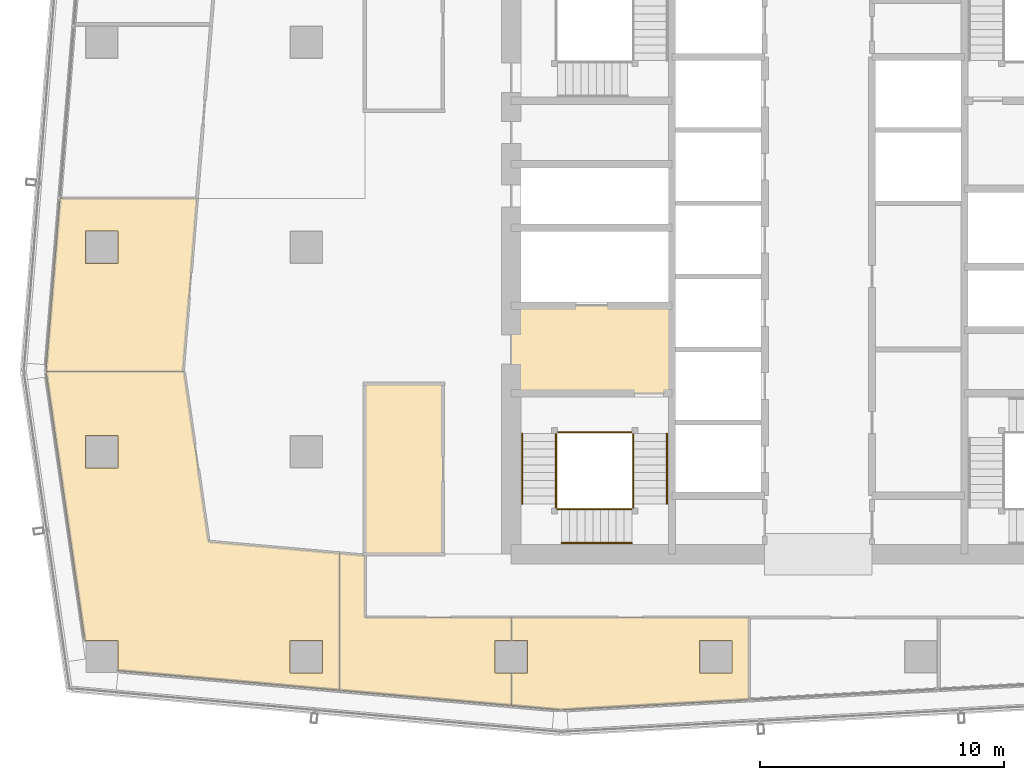
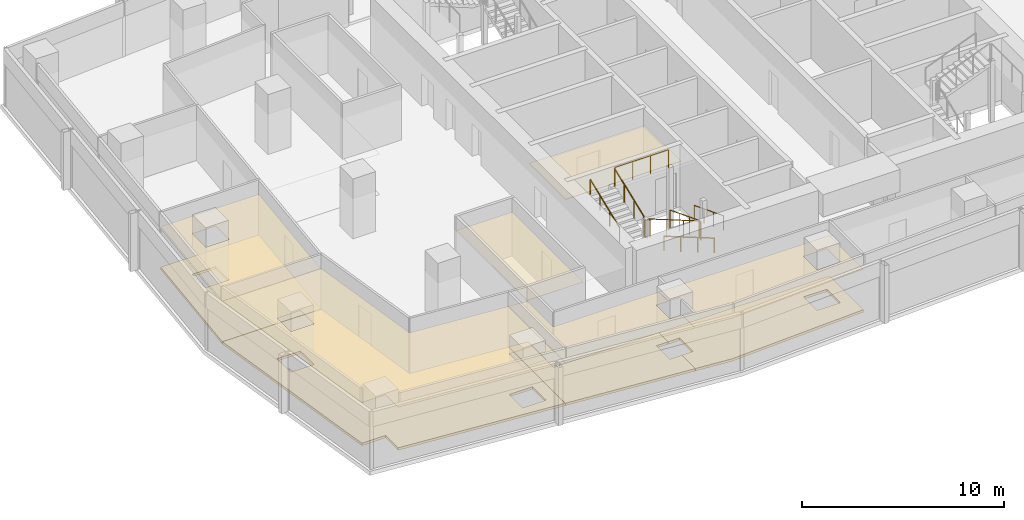
# One storey, part 26 of 30: 10 coverings, 10 railings.
"""IFC4 building model written with IfcOpenShell, lengths in metres."""

from ifc_helpers import new_model, si_unit, direction, frame, origin, origin_2d, place, context, subcontext, project, spatial, polyline, circle, outline, extrude, material, layer, layer_set, type_object, element, save


model = new_model("IFC4")

# Units and contexts
model_context = context("Model", 3, precision=1e-05, world=origin(), true_north=direction((0.0, 1.0)))
body_context = subcontext(model_context, "Body", "Model", "MODEL_VIEW")
ifc_project = project(units=[si_unit("LENGTHUNIT", "METRE"), si_unit("AREAUNIT", "SQUARE_METRE"), si_unit("VOLUMEUNIT", "CUBIC_METRE"), si_unit("PLANEANGLEUNIT", "RADIAN"), si_unit("MASSUNIT", "GRAM", prefix="KILO")], contexts=[model_context])

# Site, building, storey
site_placement = place(None, origin())
site = spatial("IfcSite", under=ifc_project, at=site_placement, CompositionType="ELEMENT")
building_placement = place(site_placement, origin())
building = spatial("IfcBuilding", under=site, at=building_placement, Name="Rekha Terrace Tower", CompositionType="ELEMENT")
storey_placement = place(building_placement, frame((0.0, 0.0, 272.60009765625)))
storey = spatial("IfcBuildingStorey", under=building, at=storey_placement, Name="L69", CompositionType="ELEMENT", Elevation=272.60009765625)

# Coverings
ifc_material_1 = material(Name="Mineral fibre tile in exposed grid", Category="finish")
ifc_layer_1 = layer(ifc_material_1, 0.02001953125)
ifc_layer_set_1 = layer_set([ifc_layer_1], Name="Mineral fibre tile in exposed grid")
covering_type_1 = type_object("IfcCoveringType", Name="CL1 600x1200 office grid ceiling", PredefinedType="CEILING", material=ifc_layer_set_1)
covering_1_placement = place(storey_placement, frame((0.0, 0.0, 2.579833984375)))
element("IfcCovering", 1, at=covering_1_placement, inside=storey, type_object=covering_type_1, Name="Ceiling L69-11", PredefinedType="CEILING", context=body_context, shape_type="SweptSolid", body=[
    extrude(outline(polyline([(11.73193359375, 28.491943359375), (12.30908203125, 35.589111328125), (6.69091796875, 35.589111328125), (6.113037109375, 28.491943359375), (11.73193359375, 28.491943359375)]), holes=[polyline([(9.06494140625, 34.264892578125), (9.06494140625, 32.93505859375), (7.735107421875, 32.93505859375), (7.735107421875, 34.264892578125), (9.06494140625, 34.264892578125)])]), origin(), (0.0, 0.0, 1.0), 0.02001953125),
])
covering_2_placement = place(storey_placement, frame((0.0, 0.0, 2.579833984375)))
element("IfcCovering", 2, at=covering_2_placement, inside=storey, type_object=covering_type_1, Name="Ceiling L69-12", PredefinedType="CEILING", context=body_context, shape_type="SweptSolid", body=[
    extrude(outline(polyline([(6.12109375, 28.490966796875), (7.715087890625, 17.465087890625), (9.06494140625, 17.465087890625), (9.06494140625, 16.22705078125), (18.14892578125, 15.4189453125), (18.14892578125, 21.041015625), (12.787109375, 21.51806640625), (11.779052734375, 28.490966796875), (6.12109375, 28.490966796875)]), holes=[polyline([(17.465087890625, 17.465087890625), (17.465087890625, 16.135009765625), (16.135009765625, 16.135009765625), (16.135009765625, 17.465087890625), (17.465087890625, 17.465087890625)]), polyline([(9.06494140625, 25.864990234375), (9.06494140625, 24.534912109375), (7.735107421875, 24.534912109375), (7.735107421875, 25.864990234375), (9.06494140625, 25.864990234375)])]), origin(), (0.0, 0.0, 1.0), 0.02001953125),
])
covering_3_placement = place(storey_placement, frame((0.0, 0.0, 2.579833984375)))
element("IfcCovering", 3, at=covering_3_placement, inside=storey, type_object=covering_type_1, Name="Ceiling L69-13", PredefinedType="CEILING", context=body_context, shape_type="SweptSolid", body=[
    extrude(outline(polyline([(19.199951171875, 18.39990234375), (19.199951171875, 20.947998046875), (18.14990234375, 21.041015625), (18.14990234375, 15.4189453125), (25.2060546875, 14.7919921875), (25.2060546875, 16.135009765625), (24.534912109375, 16.135009765625), (24.534912109375, 17.465087890625), (25.2060546875, 17.465087890625), (25.2060546875, 18.39990234375), (19.199951171875, 18.39990234375)])), origin(), (0.0, 0.0, 1.0), 0.02001953125),
])
covering_4_placement = place(storey_placement, frame((0.0, 0.0, 2.579833984375)))
element("IfcCovering", 4, at=covering_4_placement, inside=storey, type_object=covering_type_1, Name="Ceiling L69-14", PredefinedType="CEILING", context=body_context, shape_type="SweptSolid", body=[
    extrude(outline(polyline([(34.947021484375, 15.033935546875), (34.947021484375, 18.39990234375), (25.20703125, 18.39990234375), (25.20703125, 17.465087890625), (25.864990234375, 17.465087890625), (25.864990234375, 16.135009765625), (25.20703125, 16.135009765625), (25.20703125, 14.7919921875), (27.221923828125, 14.613037109375), (34.947021484375, 15.033935546875)]), holes=[polyline([(34.264892578125, 16.135009765625), (32.93505859375, 16.135009765625), (32.93505859375, 17.465087890625), (34.264892578125, 17.465087890625), (34.264892578125, 16.135009765625)])]), origin(), (0.0, 0.0, 1.0), 0.02001953125),
])
ifc_material_2 = material(Name="Fibre cement board", Category="finish")
ifc_layer_2 = layer(ifc_material_2, 0.014892578125)
ifc_layer_set_2 = layer_set([ifc_layer_2], Name="Fibre cement board")
covering_type_2 = type_object("IfcCoveringType", Name="CL2 moisture-resistant board ceiling", PredefinedType="CEILING", material=ifc_layer_set_2)
covering_5_placement = place(storey_placement, frame((0.0, 0.0, 2.5849609375)))
element("IfcCovering", 5, at=covering_5_placement, inside=storey, type_object=covering_type_2, Name="Ceiling L69-WCM", PredefinedType="CEILING", context=body_context, shape_type="SweptSolid", body=[
    extrude(outline(polyline([(22.39990234375, 28.0), (19.199951171875, 28.0), (19.199951171875, 21.0), (22.39990234375, 21.0), (22.39990234375, 28.0)])), origin(), (0.0, 0.0, 1.0), 0.014892578125),
])
ifc_material_3 = material(Name="Powder-coated aluminium pan", Category="aluminium")
ifc_layer_3 = layer(ifc_material_3, 0.030029296875)
ifc_layer_set_3 = layer_set([ifc_layer_3], Name="Powder-coated aluminium pan")
covering_type_3 = type_object("IfcCoveringType", Name="CL3 300x1200 metal pan ceiling", PredefinedType="CEILING", material=ifc_layer_set_3)
covering_6_placement = place(storey_placement, frame((0.0, 0.0, 2.56982421875)))
element("IfcCovering", 6, at=covering_6_placement, inside=storey, type_object=covering_type_3, Name="Ceiling L69-FLB1", PredefinedType="CEILING", context=body_context, shape_type="SweptSolid", body=[
    extrude(outline(polyline([(31.800048828125, 31.199951171875), (25.199951171875, 31.199951171875), (25.199951171875, 27.60009765625), (31.800048828125, 27.60009765625), (31.800048828125, 31.199951171875)])), origin(), (0.0, 0.0, 1.0), 0.030029296875),
])

# Railings
ifc_material_4 = material(Name="Stainless steel balustrade", Category="steel")
railing_type_1 = type_object("IfcRailingType", Name="GR1 1100 stair guard", PredefinedType="GUARDRAIL", material=ifc_material_4)
railing_1_placement = place(storey_placement, frame((30.2099609375, 25.949951171875, 0.125)))
element("IfcRailing", 7, at=railing_1_placement, inside=storey, type_object=railing_type_1, Name="Guard ST1 L69 flight 1", PredefinedType="GUARDRAIL", context=body_context, shape_type="SweptSolid", body=[
    extrude(circle(Radius=0.02392578125, at=origin_2d()), frame((0.0, 0.0, 1.076171875), z_axis=(0.0, -0.931452331594, 0.363863372667), x_axis=(1.0, 0.0, 0.0)), (0.0, 0.0, 1.0), 3.091796875),
    extrude(circle(Radius=0.02099609375, at=origin_2d()), origin(), (0.0, 0.0, 1.0), 1.052001953125),
    extrude(circle(Radius=0.02099609375, at=origin_2d()), frame((0.0, -0.9599609375, 0.375)), (0.0, 0.0, 1.0), 1.052001953125),
    extrude(circle(Radius=0.02099609375, at=origin_2d()), frame((0.0, -1.919921875, 0.75)), (0.0, 0.0, 1.0), 1.052001953125),
    extrude(circle(Radius=0.02099609375, at=origin_2d()), frame((0.0, -2.8798828125, 1.125)), (0.0, 0.0, 1.0), 1.052001953125),
])
railing_2_placement = place(storey_placement, frame((30.14990234375, 22.840087890625, 1.375)))
element("IfcRailing", 8, at=railing_2_placement, inside=storey, type_object=railing_type_1, Name="Guard ST1 L69 flight 2", PredefinedType="GUARDRAIL", context=body_context, shape_type="SweptSolid", body=[
    extrude(circle(Radius=0.02392578125, at=origin_2d()), frame((0.0, 0.0, 1.076171875), z_axis=(-0.931452331594, 0.0, 0.363863372667), x_axis=(0.0, -1.0, 0.0)), (0.0, 0.0, 1.0), 3.091796875),
    extrude(circle(Radius=0.02099609375, at=origin_2d()), origin(), (0.0, 0.0, 1.0), 1.052001953125),
    extrude(circle(Radius=0.02099609375, at=origin_2d()), frame((-0.9599609375, 0.0, 0.375)), (0.0, 0.0, 1.0), 1.052001953125),
    extrude(circle(Radius=0.02099609375, at=origin_2d()), frame((-1.919921875, 0.0, 0.75)), (0.0, 0.0, 1.0), 1.052001953125),
    extrude(circle(Radius=0.02099609375, at=origin_2d()), frame((-2.8798828125, 0.0, 1.125)), (0.0, 0.0, 1.0), 1.052001953125),
])
railing_3_placement = place(storey_placement, frame((27.0400390625, 23.070068359375, 2.625)))
element("IfcRailing", 9, at=railing_3_placement, inside=storey, type_object=railing_type_1, Name="Guard ST1 L69 flight 3", PredefinedType="GUARDRAIL", context=body_context, shape_type="SweptSolid", body=[
    extrude(circle(Radius=0.02392578125, at=origin_2d()), frame((0.0, 0.0, 1.076171875), z_axis=(0.0, 0.931452331594, 0.363863372667), x_axis=(-1.0, 0.0, 0.0)), (0.0, 0.0, 1.0), 3.091796875),
    extrude(circle(Radius=0.02099609375, at=origin_2d()), origin(), (0.0, 0.0, 1.0), 1.052001953125),
    extrude(circle(Radius=0.02099609375, at=origin_2d()), frame((0.0, 0.9599609375, 0.375)), (0.0, 0.0, 1.0), 1.052001953125),
    extrude(circle(Radius=0.02099609375, at=origin_2d()), frame((0.0, 1.919921875, 0.75)), (0.0, 0.0, 1.0), 1.052001953125),
    extrude(circle(Radius=0.02099609375, at=origin_2d()), frame((0.0, 2.8798828125, 1.125)), (0.0, 0.0, 1.0), 1.052001953125),
])
railing_4_placement = place(storey_placement, frame((30.2099609375, 23.070068359375, 1.25)))
element("IfcRailing", 10, at=railing_4_placement, inside=storey, type_object=railing_type_1, Name="Guard ST1 L69 landing 1", PredefinedType="GUARDRAIL", context=body_context, shape_type="SweptSolid", body=[
    extrude(circle(Radius=0.02392578125, at=origin_2d()), frame((0.0, 0.0, 1.076171875), z_axis=(0.0, -1.0, 0.0), x_axis=(1.0, 0.0, 0.0)), (0.0, 0.0, 1.0), 0.170166015625),
    extrude(circle(Radius=0.02099609375, at=origin_2d()), origin(), (0.0, 0.0, 1.0), 1.052001953125),
    extrude(circle(Radius=0.02099609375, at=origin_2d()), frame((0.0, -0.170166015625, 0.0)), (0.0, 0.0, 1.0), 1.052001953125),
])
railing_5_placement = place(storey_placement, frame((27.27001953125, 22.840087890625, 2.5)))
element("IfcRailing", 11, at=railing_5_placement, inside=storey, type_object=railing_type_1, Name="Guard ST1 L69 landing 2", PredefinedType="GUARDRAIL", context=body_context, shape_type="SweptSolid", body=[
    extrude(circle(Radius=0.02392578125, at=origin_2d()), frame((0.0, 0.0, 1.076171875), z_axis=(-1.0, 0.0, 0.0), x_axis=(0.0, -1.0, 0.0)), (0.0, 0.0, 1.0), 0.169921875),
    extrude(circle(Radius=0.02099609375, at=origin_2d()), origin(), (0.0, 0.0, 1.0), 1.052001953125),
    extrude(circle(Radius=0.02099609375, at=origin_2d()), frame((-0.169921875, 0.0, 0.0)), (0.0, 0.0, 1.0), 1.052001953125),
])
railing_6_placement = place(storey_placement, frame((27.0400390625, 23.070068359375, 2.5)))
element("IfcRailing", 12, at=railing_6_placement, inside=storey, type_object=railing_type_1, Name="Guard ST1 L69 landing 3", PredefinedType="GUARDRAIL", context=body_context, shape_type="SweptSolid", body=[
    extrude(circle(Radius=0.02392578125, at=origin_2d()), frame((0.0, 0.0, 1.076171875), z_axis=(0.0, -1.0, 0.0), x_axis=(1.0, 0.0, 0.0)), (0.0, 0.0, 1.0), 0.170166015625),
    extrude(circle(Radius=0.02099609375, at=origin_2d()), origin(), (0.0, 0.0, 1.0), 1.052001953125),
    extrude(circle(Radius=0.02099609375, at=origin_2d()), frame((0.0, -0.170166015625, 0.0)), (0.0, 0.0, 1.0), 1.052001953125),
])
railing_7_placement = place(storey_placement, frame((30.14990234375, 26.010009765625, 3.75)))
element("IfcRailing", 13, at=railing_7_placement, inside=storey, type_object=railing_type_1, Name="Guard ST1 L69 landing 4", PredefinedType="GUARDRAIL", context=body_context, shape_type="SweptSolid", body=[
    extrude(circle(Radius=0.02392578125, at=origin_2d()), frame((0.0, 0.0, 1.076171875), z_axis=(-1.0, 0.0, 0.0), x_axis=(0.0, -1.0, 0.0)), (0.0, 0.0, 1.0), 3.0498046875),
    extrude(circle(Radius=0.02099609375, at=origin_2d()), origin(), (0.0, 0.0, 1.0), 1.052001953125),
    extrude(circle(Radius=0.02099609375, at=origin_2d()), frame((-1.0166015625, 0.0, 0.0)), (0.0, 0.0, 1.0), 1.052001953125),
    extrude(circle(Radius=0.02099609375, at=origin_2d()), frame((-2.033203125, 0.0, 0.0)), (0.0, 0.0, 1.0), 1.052001953125),
    extrude(circle(Radius=0.02099609375, at=origin_2d()), frame((-3.0498046875, 0.0, 0.0)), (0.0, 0.0, 1.0), 1.052001953125),
])
ifc_material_5 = material(Name="Stainless steel tube", Category="steel")
railing_type_2 = type_object("IfcRailingType", Name="HR1 900 stair handrail", PredefinedType="HANDRAIL", material=ifc_material_5)
railing_8_placement = place(storey_placement, frame((31.590087890625, 25.949951171875, 0.125)))
element("IfcRailing", 14, at=railing_8_placement, inside=storey, type_object=railing_type_2, Name="Handrail ST1 L69 flight 1", PredefinedType="HANDRAIL", context=body_context, shape_type="SweptSolid", body=[
    extrude(circle(Radius=0.02392578125, at=origin_2d()), frame((0.0, 0.0, 0.8759765625), z_axis=(0.0, -0.931452331594, 0.363863372667), x_axis=(1.0, 0.0, 0.0)), (0.0, 0.0, 1.0), 3.091796875),
    extrude(circle(Radius=0.02099609375, at=origin_2d()), origin(), (0.0, 0.0, 1.0), 0.851806640625),
    extrude(circle(Radius=0.02099609375, at=origin_2d()), frame((0.0, -0.9599609375, 0.375)), (0.0, 0.0, 1.0), 0.851806640625),
    extrude(circle(Radius=0.02099609375, at=origin_2d()), frame((0.0, -1.919921875, 0.75)), (0.0, 0.0, 1.0), 0.851806640625),
    extrude(circle(Radius=0.02099609375, at=origin_2d()), frame((0.0, -2.8798828125, 1.125)), (0.0, 0.0, 1.0), 0.851806640625),
])
railing_9_placement = place(storey_placement, frame((30.14990234375, 21.4599609375, 1.375)))
element("IfcRailing", 15, at=railing_9_placement, inside=storey, type_object=railing_type_2, Name="Handrail ST1 L69 flight 2", PredefinedType="HANDRAIL", context=body_context, shape_type="SweptSolid", body=[
    extrude(circle(Radius=0.02392578125, at=origin_2d()), frame((0.0, 0.0, 0.8759765625), z_axis=(-0.931452331594, 0.0, 0.363863372667), x_axis=(0.0, -1.0, 0.0)), (0.0, 0.0, 1.0), 3.091796875),
    extrude(circle(Radius=0.02099609375, at=origin_2d()), origin(), (0.0, 0.0, 1.0), 0.851806640625),
    extrude(circle(Radius=0.02099609375, at=origin_2d()), frame((-0.9599609375, 0.0, 0.375)), (0.0, 0.0, 1.0), 0.851806640625),
    extrude(circle(Radius=0.02099609375, at=origin_2d()), frame((-1.919921875, 0.0, 0.75)), (0.0, 0.0, 1.0), 0.851806640625),
    extrude(circle(Radius=0.02099609375, at=origin_2d()), frame((-2.8798828125, 0.0, 1.125)), (0.0, 0.0, 1.0), 0.851806640625),
])
railing_10_placement = place(storey_placement, frame((25.659912109375, 23.070068359375, 2.625)))
element("IfcRailing", 16, at=railing_10_placement, inside=storey, type_object=railing_type_2, Name="Handrail ST1 L69 flight 3", PredefinedType="HANDRAIL", context=body_context, shape_type="SweptSolid", body=[
    extrude(circle(Radius=0.02392578125, at=origin_2d()), frame((0.0, 0.0, 0.8759765625), z_axis=(0.0, 0.931452331594, 0.363863372667), x_axis=(-1.0, 0.0, 0.0)), (0.0, 0.0, 1.0), 3.091796875),
    extrude(circle(Radius=0.02099609375, at=origin_2d()), origin(), (0.0, 0.0, 1.0), 0.851806640625),
    extrude(circle(Radius=0.02099609375, at=origin_2d()), frame((0.0, 0.9599609375, 0.375)), (0.0, 0.0, 1.0), 0.851806640625),
    extrude(circle(Radius=0.02099609375, at=origin_2d()), frame((0.0, 1.919921875, 0.75)), (0.0, 0.0, 1.0), 0.851806640625),
    extrude(circle(Radius=0.02099609375, at=origin_2d()), frame((0.0, 2.8798828125, 1.125)), (0.0, 0.0, 1.0), 0.851806640625),
])

# Coverings
ifc_material_6 = material(Name="Calcium sulphate panels on steel pedestals", Category="steel")
ifc_layer_4 = layer(ifc_material_6, 0.14990234375)
ifc_layer_set_4 = layer_set([ifc_layer_4], Name="Calcium sulphate panels on steel pedestals")
covering_type_4 = type_object("IfcCoveringType", Name="RF1 150 raised access floor", PredefinedType="FLOORING", material=ifc_layer_set_4)
covering_7_placement = place(storey_placement, origin())
element("IfcCovering", 17, at=covering_7_placement, inside=storey, type_object=covering_type_4, Name="Raised floor L69-11", PredefinedType="FLOORING", context=body_context, shape_type="SweptSolid", body=[
    extrude(outline(polyline([(11.73193359375, 28.491943359375), (12.30908203125, 35.589111328125), (6.69091796875, 35.589111328125), (6.113037109375, 28.491943359375), (11.73193359375, 28.491943359375)]), holes=[polyline([(9.06494140625, 34.264892578125), (9.06494140625, 32.93505859375), (7.735107421875, 32.93505859375), (7.735107421875, 34.264892578125), (9.06494140625, 34.264892578125)])]), origin(), (0.0, 0.0, 1.0), 0.14990234375),
])
covering_8_placement = place(storey_placement, origin())
element("IfcCovering", 18, at=covering_8_placement, inside=storey, type_object=covering_type_4, Name="Raised floor L69-12", PredefinedType="FLOORING", context=body_context, shape_type="SweptSolid", body=[
    extrude(outline(polyline([(6.12109375, 28.490966796875), (7.715087890625, 17.465087890625), (9.06494140625, 17.465087890625), (9.06494140625, 16.22705078125), (18.14892578125, 15.4189453125), (18.14892578125, 21.041015625), (12.787109375, 21.51806640625), (11.779052734375, 28.490966796875), (6.12109375, 28.490966796875)]), holes=[polyline([(17.465087890625, 17.465087890625), (17.465087890625, 16.135009765625), (16.135009765625, 16.135009765625), (16.135009765625, 17.465087890625), (17.465087890625, 17.465087890625)]), polyline([(9.06494140625, 25.864990234375), (9.06494140625, 24.534912109375), (7.735107421875, 24.534912109375), (7.735107421875, 25.864990234375), (9.06494140625, 25.864990234375)])]), origin(), (0.0, 0.0, 1.0), 0.14990234375),
])
covering_9_placement = place(storey_placement, origin())
element("IfcCovering", 19, at=covering_9_placement, inside=storey, type_object=covering_type_4, Name="Raised floor L69-13", PredefinedType="FLOORING", context=body_context, shape_type="SweptSolid", body=[
    extrude(outline(polyline([(19.199951171875, 18.39990234375), (19.199951171875, 20.947998046875), (18.14990234375, 21.041015625), (18.14990234375, 15.4189453125), (25.2060546875, 14.7919921875), (25.2060546875, 16.135009765625), (24.534912109375, 16.135009765625), (24.534912109375, 17.465087890625), (25.2060546875, 17.465087890625), (25.2060546875, 18.39990234375), (19.199951171875, 18.39990234375)])), origin(), (0.0, 0.0, 1.0), 0.14990234375),
])
covering_10_placement = place(storey_placement, origin())
element("IfcCovering", 20, at=covering_10_placement, inside=storey, type_object=covering_type_4, Name="Raised floor L69-14", PredefinedType="FLOORING", context=body_context, shape_type="SweptSolid", body=[
    extrude(outline(polyline([(34.947021484375, 15.033935546875), (34.947021484375, 18.39990234375), (25.20703125, 18.39990234375), (25.20703125, 17.465087890625), (25.864990234375, 17.465087890625), (25.864990234375, 16.135009765625), (25.20703125, 16.135009765625), (25.20703125, 14.7919921875), (27.221923828125, 14.613037109375), (34.947021484375, 15.033935546875)]), holes=[polyline([(34.264892578125, 16.135009765625), (32.93505859375, 16.135009765625), (32.93505859375, 17.465087890625), (34.264892578125, 17.465087890625), (34.264892578125, 16.135009765625)])]), origin(), (0.0, 0.0, 1.0), 0.14990234375),
])

save(model, "model.ifc")
